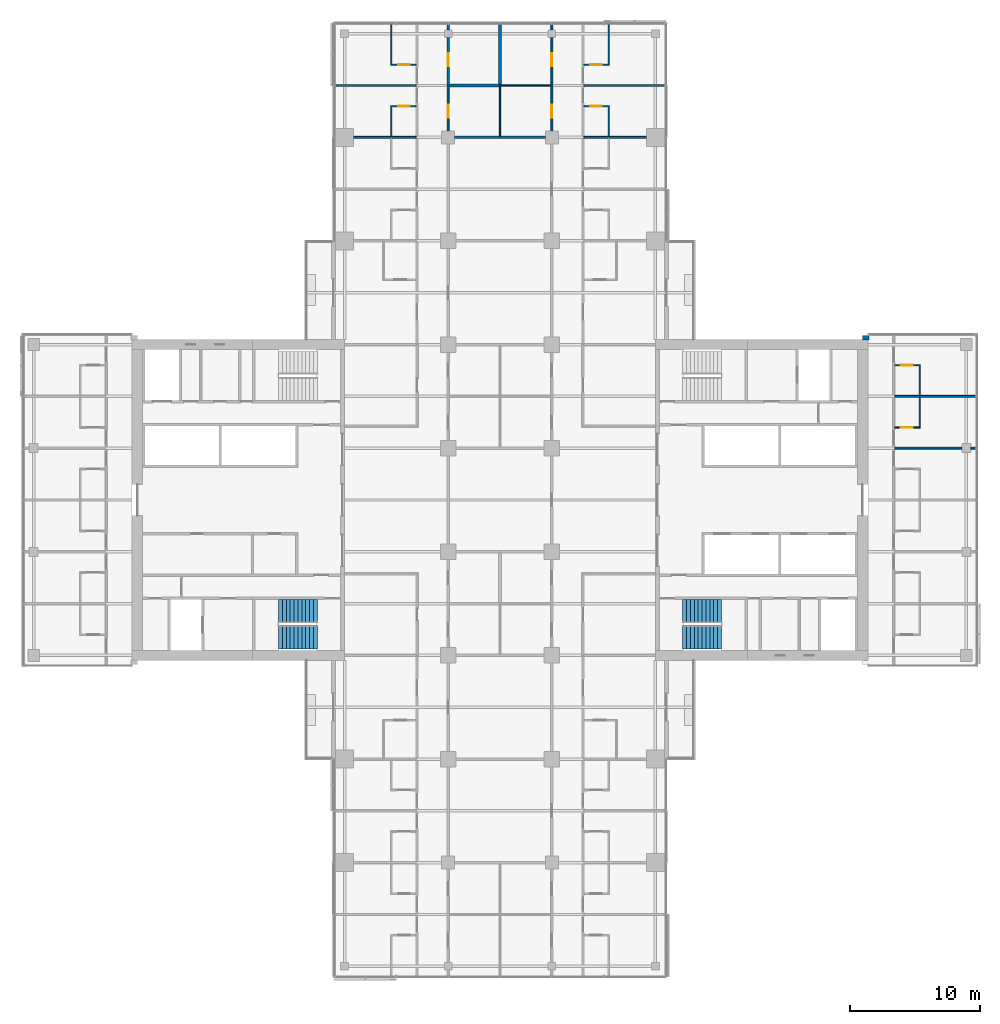
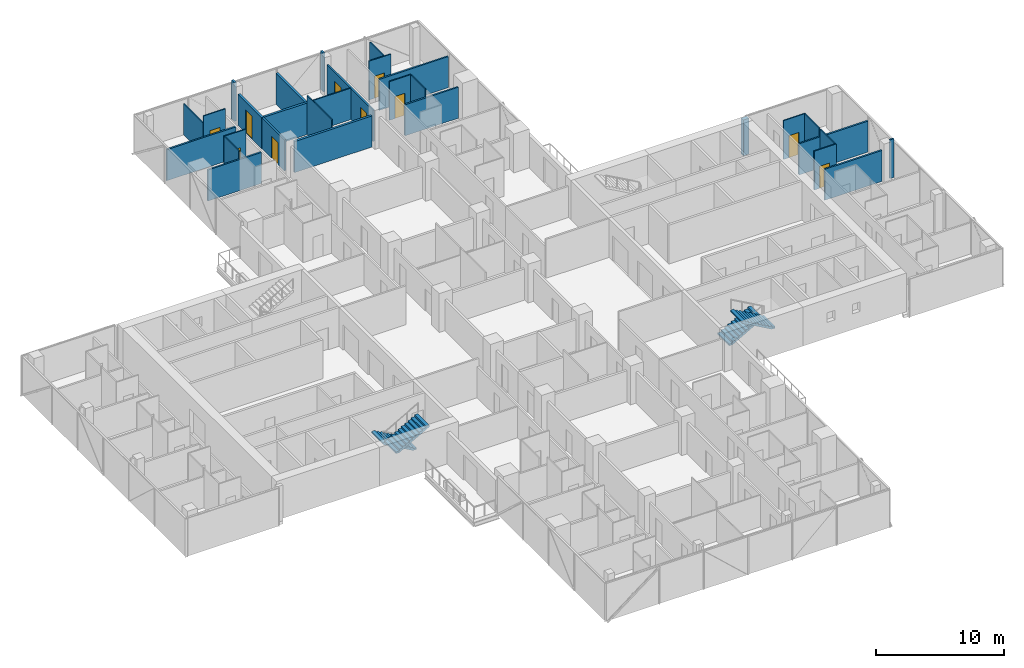
# One storey, part 23 of 29: 30 walls, 10 doors, 4 stair flights, 10 openings, 2 elements without a shape of their own.
"""IFC4 building model written with IfcOpenShell, lengths in metres."""

import ifcopenshell
import ifcopenshell.guid

model = None  # the IFC model being written
_history = None  # IfcOwnerHistory: only IFC2X3 demands one
_inside = {}  # id of a spatial element -> (the spatial element, [elements in it])
_under = {}  # id of a project, library or spatial element -> (it, [spatial elements below it])
_declared = {}  # id of a project -> (the project, [libraries it declares])
_typed = {}  # id of a type object -> (the type object, [elements of that type])
_made_of = {}  # id of a material, layer set ... -> (it, [elements and type objects made of it])


def new_model(schema):
    """Start an empty IFC model of exactly this schema.

    Asked for "IFC4X3", IfcOpenShell would pick the latest addendum, in which some entities
    have other attributes; the version numbers below select the first issue.
    IFC2X3 requires an IfcOwnerHistory on every rooted entity: one is made here for all.
    """
    global model, _history
    if schema == "IFC4X3":
        model = ifcopenshell.file(schema_version=(4, 3, 0, 0))
    else:
        model = ifcopenshell.file(schema=schema)
    _inside.clear()
    _under.clear()
    _declared.clear()
    _typed.clear()
    _made_of.clear()
    _history = None
    if model.schema == "IFC2X3":
        org = make("IfcOrganization", Name="unknown")
        user = make(
            "IfcPersonAndOrganization",
            ThePerson=make("IfcPerson", FamilyName="unknown"),
            TheOrganization=org,
        )
        app = make(
            "IfcApplication",
            ApplicationDeveloper=org,
            Version="unknown",
            ApplicationFullName="unknown",
            ApplicationIdentifier="unknown",
        )
        _history = make(
            "IfcOwnerHistory",
            OwningUser=user,
            OwningApplication=app,
            ChangeAction="ADDED",
            CreationDate=0,
        )
    return model


def make(cls, **values):
    """One entity of the class cls with the attributes given. An attribute that is None is left unset."""
    return model.create_entity(
        cls, **{name: value for name, value in values.items() if value is not None}
    )


def rooted(cls, **values):
    """An entity with a GlobalId (a new one), such as an element, a storey or a relation."""
    return make(cls, GlobalId=ifcopenshell.guid.new(), OwnerHistory=_history, **values)


def si_unit(unit_type, name, prefix=None):
    """IfcSIUnit, for example si_unit("LENGTHUNIT", "METRE", prefix="MILLI")."""
    return make("IfcSIUnit", UnitType=unit_type, Prefix=prefix, Name=name)


def assignment(units):
    """IfcUnitAssignment: the units of a project."""
    return None if units is None else make("IfcUnitAssignment", Units=units)


def point(xyz):
    """IfcCartesianPoint."""
    return None if xyz is None else make("IfcCartesianPoint", Coordinates=xyz)


def direction(xyz):
    """IfcDirection."""
    return None if xyz is None else make("IfcDirection", DirectionRatios=xyz)


def frame(location, z_axis=None, x_axis=None):
    """IfcAxis2Placement3D, a coordinate frame: its origin and axes. An axis left out is left unset."""
    return make(
        "IfcAxis2Placement3D",
        Location=point(location),
        Axis=direction(z_axis),
        RefDirection=direction(x_axis),
    )


def frame_2d(location, x_axis=None):
    """IfcAxis2Placement2D, a coordinate frame in the plane: its origin and x axis."""
    return make(
        "IfcAxis2Placement2D", Location=point(location), RefDirection=direction(x_axis)
    )


def origin():
    """The frame at (0, 0, 0) with its axes left unset."""
    return frame((0.0, 0.0, 0.0))


def place(relative_to, where):
    """IfcLocalPlacement: puts the frame where relative to a parent placement (None: the world)."""
    return make(
        "IfcLocalPlacement", PlacementRelTo=relative_to, RelativePlacement=where
    )


def context(
    kind, dimensions, precision=None, world=None, true_north=None, identifier=None
):
    """IfcGeometricRepresentationContext, for example the 3D "Model" context."""
    return make(
        "IfcGeometricRepresentationContext",
        ContextIdentifier=identifier,
        ContextType=kind,
        CoordinateSpaceDimension=dimensions,
        Precision=precision,
        WorldCoordinateSystem=world,
        TrueNorth=true_north,
    )


def subcontext(parent, identifier, kind, view, scale=None):
    """IfcGeometricRepresentationSubContext, for example "Body" below "Model"."""
    return make(
        "IfcGeometricRepresentationSubContext",
        ContextIdentifier=identifier,
        ContextType=kind,
        ParentContext=parent,
        TargetScale=scale,
        TargetView=view,
    )


def project(units=None, contexts=None):
    """IfcProject with its units and contexts."""
    return rooted(
        "IfcProject",
        Name="project",
        RepresentationContexts=contexts,
        UnitsInContext=assignment(units),
    )


def spatial(cls, under=None, at=None, **own):
    """A site, building, storey or space (cls), placed at a placement, below another one or the project."""
    s = rooted(cls, ObjectPlacement=at, **own)
    if under is not None:
        _under.setdefault(under.id(), (under, []))[1].append(s)
    return s


def polyline(points):
    """IfcPolyline through the points."""
    return make("IfcPolyline", Points=[point(p) for p in points])


def profile(cls, at=None, kind="AREA", **sizes):
    """A parametric profile (cls). Its sizes go by their IFC names, for example OverallWidth=200.0."""
    return make(cls, ProfileType=kind, Position=at, **sizes)


def rectangle(**sizes):
    """IfcRectangleProfileDef."""
    return profile("IfcRectangleProfileDef", **sizes)


def outline(outer, holes=None, kind="AREA"):
    """IfcArbitraryClosedProfileDef: a profile drawn as a closed curve; with holes, ...WithVoids."""
    if holes is None:
        return make("IfcArbitraryClosedProfileDef", ProfileType=kind, OuterCurve=outer)
    return make(
        "IfcArbitraryProfileDefWithVoids",
        ProfileType=kind,
        OuterCurve=outer,
        InnerCurves=holes,
    )


def extrude(swept, where, along, depth):
    """IfcExtrudedAreaSolid: the profile swept, set in the frame where, extruded along a direction by depth."""
    return make(
        "IfcExtrudedAreaSolid",
        SweptArea=swept,
        Position=where,
        ExtrudedDirection=direction(along),
        Depth=depth,
    )


def shape(context_of_items, identifier, shape_type, items):
    """IfcShapeRepresentation: the items that make up one representation, for example the "Body"."""
    return make(
        "IfcShapeRepresentation",
        ContextOfItems=context_of_items,
        RepresentationIdentifier=identifier,
        RepresentationType=shape_type,
        Items=items,
    )


def material(Name=None, Category=None):
    """IfcMaterial."""
    return make("IfcMaterial", Name=Name, Category=Category)


def layer(
    of_material, thickness, ventilated=None, Name=None, Category=None, Priority=None
):
    """IfcMaterialLayer: one layer of a wall or slab, of a material (None: an air gap)."""
    return make(
        "IfcMaterialLayer",
        Material=of_material,
        LayerThickness=thickness,
        IsVentilated=ventilated,
        Name=Name,
        Category=Category,
        Priority=Priority,
    )


def layer_set(layers, Name=None):
    """IfcMaterialLayerSet."""
    return make("IfcMaterialLayerSet", MaterialLayers=layers, LayerSetName=Name)


def made_of(thing, what):
    """Note that an element or type object is made of a material, layer set ...; save() writes the relation."""
    if what is not None:
        _made_of.setdefault(what.id(), (what, []))[1].append(thing)
    return thing


def type_object(cls, material=None, **own):
    """A type object (cls), such as IfcWallType, which elements share."""
    return made_of(rooted(cls, **own), material)


def element(
    cls,
    number,
    at=None,
    inside=None,
    cuts=None,
    type_object=None,
    material=None,
    context=None,
    identifier="Body",
    shape_type=None,
    held_by="IfcProductDefinitionShape",
    body=None,
    shapes=None,
    **own,
):
    """One element of the class cls, such as IfcWall. Its Tag is "e" and its number.

    at: its placement. inside: the storey or other place that contains it. cuts: it is an
    opening in that element (IfcRelVoidsElement). A single representation is given by context,
    identifier, shape_type and body (its items); several are given by shapes. held_by: the class
    of the entity that holds the representations. save() writes the other relations.
    """
    e = rooted(cls, Tag="e%d" % number, ObjectPlacement=at, **own)
    if body is not None:
        shapes = [shape(context, identifier, shape_type, body)]
    if shapes is not None:
        e.Representation = make(held_by, Representations=shapes)
    if inside is not None:
        _inside.setdefault(inside.id(), (inside, []))[1].append(e)
    if cuts is not None:
        rooted(
            "IfcRelVoidsElement", RelatingBuildingElement=cuts, RelatedOpeningElement=e
        )
    if type_object is not None:
        _typed.setdefault(type_object.id(), (type_object, []))[1].append(e)
    return made_of(e, material)


def fill(opening, filler):
    """IfcRelFillsElement: the door or window that sits in an opening."""
    return rooted(
        "IfcRelFillsElement",
        RelatingOpeningElement=opening,
        RelatedBuildingElement=filler,
    )


def aggregate(whole, parts):
    """IfcRelAggregates: a whole, such as a stair, and the parts it consists of."""
    return rooted("IfcRelAggregates", RelatingObject=whole, RelatedObjects=parts)


def save(model, path):
    """Write the relations noted so far, then the file.

    IfcRelAggregates (storeys below a building ...), IfcRelContainedInSpatialStructure (elements
    in a storey), IfcRelDefinesByType, IfcRelAssociatesMaterial and IfcRelDeclares: one each for
    every whole, place, type object, material and project.
    """
    for whole, parts in _under.values():
        aggregate(whole, parts)
    for where, things in _inside.values():
        rooted(
            "IfcRelContainedInSpatialStructure",
            RelatedElements=things,
            RelatingStructure=where,
        )
    for kind, things in _typed.values():
        rooted("IfcRelDefinesByType", RelatedObjects=things, RelatingType=kind)
    for what, things in _made_of.values():
        rooted("IfcRelAssociatesMaterial", RelatedObjects=things, RelatingMaterial=what)
    for by, libraries in _declared.values():
        rooted("IfcRelDeclares", RelatingContext=by, RelatedDefinitions=libraries)
    model.write(path)


model = new_model("IFC4")

# Units and contexts
model_context = context("Model", 3, precision=1e-05, world=origin(), true_north=direction((0.0, 1.0)))
body_context = subcontext(model_context, "Body", "Model", "MODEL_VIEW")
ifc_project = project(units=[si_unit("LENGTHUNIT", "METRE"), si_unit("AREAUNIT", "SQUARE_METRE"), si_unit("VOLUMEUNIT", "CUBIC_METRE"), si_unit("PLANEANGLEUNIT", "RADIAN"), si_unit("MASSUNIT", "GRAM", prefix="KILO")], contexts=[model_context])

# Site, building, storey
site_placement = place(None, origin())
site = spatial("IfcSite", under=ifc_project, at=site_placement, CompositionType="ELEMENT")
building_placement = place(site_placement, origin())
building = spatial("IfcBuilding", under=site, at=building_placement, Name="Crosswind Convention Tower", CompositionType="ELEMENT")
storey_placement = place(building_placement, frame((0.0, 0.0, 57.199951171875)))
storey = spatial("IfcBuildingStorey", under=building, at=storey_placement, Name="L08", CompositionType="ELEMENT", Elevation=57.199951171875)

# Wall
ifc_material_1 = material(Name="Concrete blockwork", Category="masonry")
ifc_layer_1 = layer(ifc_material_1, 0.199951171875)
ifc_layer_set_1 = layer_set([ifc_layer_1], Name="COMPARTMENT WALL 200")
wall_type_1 = type_object("IfcWallType", Name="COMPARTMENT WALL 200", PredefinedType="SOLIDWALL", material=ifc_layer_set_1)
wall_1_placement = place(storey_placement, frame((121.074951171875, 132.0, 0.0), z_axis=(0.0, 0.0, 1.0), x_axis=(1.0, 0.0, 0.0)))
element("IfcWall", 1, at=wall_1_placement, inside=storey, type_object=wall_type_1, Name="Compartment Wall 81", PredefinedType="SOLIDWALL", context=body_context, shape_type="SweptSolid", body=[
    extrude(rectangle(XDim=3.925048828125, YDim=0.199951171875, at=frame_2d((1.96240234375, 0.0))), origin(), (0.0, 0.0, 1.0), 3.013671875),
])

# Wall, opening, door
wall_2_placement = place(storey_placement, frame((121.0, 132.0, 0.0), z_axis=(0.0, 0.0, 1.0), x_axis=(0.0, 1.0, 0.0)))
wall_2 = element("IfcWall", 2, at=wall_2_placement, inside=storey, type_object=wall_type_1, Name="Compartment Wall 118", PredefinedType="SOLIDWALL", context=body_context, shape_type="SweptSolid", body=[
    extrude(rectangle(XDim=3.699951171875, YDim=0.199951171875, at=frame_2d((1.85009765625, 0.0))), origin(), (0.0, 0.0, 1.0), 2.9599609375),
])
opening_1_placement = place(wall_2_placement, frame((1.5, 0.0, 0.0)))
opening_1 = element("IfcOpeningElement", 3, at=opening_1_placement, cuts=wall_2, Name="Opening 08.087", PredefinedType="OPENING", context=body_context, shape_type="SweptSolid", body=[
    extrude(rectangle(XDim=1.0, YDim=2.199951171875, at=frame_2d((0.5, 1.10009765625))), frame((0.0, 0.10986328125, 0.0), z_axis=(0.0, -1.0, 0.0), x_axis=(1.0, 0.0, 0.0)), (0.0, 0.0, 1.0), 0.219970703125),
])
ifc_material_2 = material(Name="Steel fire door", Category="steel")
door_type_1 = type_object("IfcDoorType", Name="PLANT ROOM DOOR 1000X2200", OperationType="NOTDEFINED", PredefinedType="DOOR", material=ifc_material_2)
door_1_placement = place(opening_1_placement, frame((1.0, 0.0, 0.0), z_axis=(0.0, 0.0, 1.0), x_axis=(-1.0, 0.0, 0.0)))
door_1 = element("IfcDoor", 4, at=door_1_placement, inside=storey, type_object=door_type_1, Name="Door 08.087", ObjectType="D6", OperationType="SINGLE_SWING_LEFT", OverallHeight=2.199951171875, OverallWidth=1.0, PredefinedType="DOOR", context=body_context, shape_type="SweptSolid", body=[
    extrude(rectangle(XDim=1.0, YDim=2.199951171875, at=frame_2d((0.5, 1.10009765625))), frame((0.0, 0.02490234375, 0.0), z_axis=(0.0, -1.0, 0.0), x_axis=(1.0, 0.0, 0.0)), (0.0, 0.0, 1.0), 0.050048828125),
])
fill(opening_1, door_1)

# Walls
wall_3_placement = place(storey_placement, frame((121.0, 136.300048828125, 0.0), z_axis=(0.0, 0.0, 1.0), x_axis=(0.0, 1.0, 0.0)))
element("IfcWall", 5, at=wall_3_placement, inside=storey, type_object=wall_type_1, Name="Compartment Wall 119", PredefinedType="SOLIDWALL", context=body_context, shape_type="SweptSolid", body=[
    extrude(rectangle(XDim=0.39990234375, YDim=0.199951171875, at=frame_2d((0.199951171875, 0.0))), origin(), (0.0, 0.0, 1.0), 3.699951171875),
])
wall_4_placement = place(storey_placement, frame((125.0, 132.050048828125, 0.0), z_axis=(0.0, 0.0, 1.0), x_axis=(0.0, 1.0, 0.0)))
element("IfcWall", 6, at=wall_4_placement, inside=storey, type_object=wall_type_1, Name="Compartment Wall 127", PredefinedType="SOLIDWALL", context=body_context, shape_type="SweptSolid", body=[
    extrude(rectangle(XDim=4.64990234375, YDim=0.199951171875, at=frame_2d((2.324951171875, 0.0))), origin(), (0.0, 0.0, 1.0), 2.962890625),
])

# Wall, opening, door
ifc_material_3 = material(Name="Plasterboard partition", Category="gypsum")
ifc_layer_2 = layer(ifc_material_3, 0.14990234375)
ifc_layer_set_2 = layer_set([ifc_layer_2], Name="CORRIDOR WALL 150")
wall_type_2 = type_object("IfcWallType", Name="CORRIDOR WALL 150", PredefinedType="PARTITIONING", material=ifc_layer_set_2)
wall_5_placement = place(storey_placement, frame((121.0, 128.5, 0.0), z_axis=(0.0, 0.0, 1.0), x_axis=(0.0, 1.0, 0.0)))
wall_5 = element("IfcWall", 7, at=wall_5_placement, inside=storey, type_object=wall_type_2, Name="Corridor Wall 117", PredefinedType="PARTITIONING", context=body_context, shape_type="SweptSolid", body=[
    extrude(rectangle(XDim=3.5, YDim=0.14990234375, at=frame_2d((1.75, 0.0))), origin(), (0.0, 0.0, 1.0), 2.9599609375),
])
opening_2_placement = place(wall_5_placement, frame((1.0, 0.0, 0.0)))
opening_2 = element("IfcOpeningElement", 8, at=opening_2_placement, cuts=wall_5, Name="Opening 08.086", PredefinedType="OPENING", context=body_context, shape_type="SweptSolid", body=[
    extrude(rectangle(XDim=1.0, YDim=2.10009765625, at=frame_2d((0.5, 1.050048828125))), frame((0.0, 0.0849609375, 0.0), z_axis=(0.0, -1.0, 0.0), x_axis=(1.0, 0.0, 0.0)), (0.0, 0.0, 1.0), 0.169921875),
])
ifc_material_4 = material(Name="Timber fire door", Category="wood")
door_type_2 = type_object("IfcDoorType", Name="SERVICE ROOM DOOR 1000X2100", OperationType="NOTDEFINED", PredefinedType="DOOR", material=ifc_material_4)
door_2_placement = place(opening_2_placement, frame((1.0, 0.0, 0.0), z_axis=(0.0, 0.0, 1.0), x_axis=(-1.0, 0.0, 0.0)))
door_2 = element("IfcDoor", 9, at=door_2_placement, inside=storey, type_object=door_type_2, Name="Door 08.086", ObjectType="D3", OperationType="SINGLE_SWING_RIGHT", OverallHeight=2.10009765625, OverallWidth=1.0, PredefinedType="DOOR", context=body_context, shape_type="SweptSolid", body=[
    extrude(rectangle(XDim=1.0, YDim=2.10009765625, at=frame_2d((0.5, 1.050048828125))), frame((0.0, 0.02490234375, 0.0), z_axis=(0.0, -1.0, 0.0), x_axis=(1.0, 0.0, 0.0)), (0.0, 0.0, 1.0), 0.050048828125),
])
fill(opening_2, door_2)

# Wall, openings, doors
wall_6_placement = place(storey_placement, frame((129.0, 128.5, 0.0), z_axis=(0.0, 0.0, 1.0), x_axis=(0.0, 1.0, 0.0)))
wall_6 = element("IfcWall", 10, at=wall_6_placement, inside=storey, type_object=wall_type_2, Name="Corridor Wall 137", PredefinedType="PARTITIONING", context=body_context, shape_type="SweptSolid", body=[
    extrude(rectangle(XDim=7.199951171875, YDim=0.14990234375, at=frame_2d((3.60009765625, 0.0))), origin(), (0.0, 0.0, 1.0), 2.9599609375),
])
opening_3_placement = place(wall_6_placement, frame((1.0, 0.0, 0.0)))
opening_3 = element("IfcOpeningElement", 11, at=opening_3_placement, cuts=wall_6, Name="Opening 08.088", PredefinedType="OPENING", context=body_context, shape_type="SweptSolid", body=[
    extrude(rectangle(XDim=1.0, YDim=2.10009765625, at=frame_2d((0.5, 1.050048828125))), frame((0.0, 0.0849609375, 0.0), z_axis=(0.0, -1.0, 0.0), x_axis=(1.0, 0.0, 0.0)), (0.0, 0.0, 1.0), 0.169921875),
])
opening_4_placement = place(wall_6_placement, frame((5.0, 0.0, 0.0)))
opening_4 = element("IfcOpeningElement", 12, at=opening_4_placement, cuts=wall_6, Name="Opening 08.089", PredefinedType="OPENING", context=body_context, shape_type="SweptSolid", body=[
    extrude(rectangle(XDim=1.0, YDim=2.10009765625, at=frame_2d((0.5, 1.050048828125))), frame((0.0, 0.0849609375, 0.0), z_axis=(0.0, -1.0, 0.0), x_axis=(1.0, 0.0, 0.0)), (0.0, 0.0, 1.0), 0.169921875),
])
door_3_placement = place(opening_3_placement, origin())
door_3 = element("IfcDoor", 13, at=door_3_placement, inside=storey, type_object=door_type_2, Name="Door 08.088", ObjectType="D3", OperationType="SINGLE_SWING_LEFT", OverallHeight=2.10009765625, OverallWidth=1.0, PredefinedType="DOOR", context=body_context, shape_type="SweptSolid", body=[
    extrude(rectangle(XDim=1.0, YDim=2.10009765625, at=frame_2d((0.5, 1.050048828125))), frame((0.0, 0.02490234375, 0.0), z_axis=(0.0, -1.0, 0.0), x_axis=(1.0, 0.0, 0.0)), (0.0, 0.0, 1.0), 0.050048828125),
])
fill(opening_3, door_3)
door_4_placement = place(opening_4_placement, origin())
door_4 = element("IfcDoor", 14, at=door_4_placement, inside=storey, type_object=door_type_2, Name="Door 08.089", ObjectType="D3", OperationType="SINGLE_SWING_RIGHT", OverallHeight=2.10009765625, OverallWidth=1.0, PredefinedType="DOOR", context=body_context, shape_type="SweptSolid", body=[
    extrude(rectangle(XDim=1.0, YDim=2.10009765625, at=frame_2d((0.5, 1.050048828125))), frame((0.0, 0.02490234375, 0.0), z_axis=(0.0, -1.0, 0.0), x_axis=(1.0, 0.0, 0.0)), (0.0, 0.0, 1.0), 0.050048828125),
])
fill(opening_4, door_4)

# Walls
wall_7_placement = place(storey_placement, frame((129.0, 136.300048828125, 0.0), z_axis=(0.0, 0.0, 1.0), x_axis=(0.0, 1.0, 0.0)))
element("IfcWall", 15, at=wall_7_placement, inside=storey, type_object=wall_type_2, Name="Corridor Wall 138", PredefinedType="PARTITIONING", context=body_context, shape_type="SweptSolid", body=[
    extrude(rectangle(XDim=0.39990234375, YDim=0.14990234375, at=frame_2d((0.199951171875, 0.0))), origin(), (0.0, 0.0, 1.0), 3.699951171875),
])
ifc_material_5 = material(Name="Acoustic plasterboard partition", Category="gypsum")
ifc_layer_3 = layer(ifc_material_5, 0.14990234375)
ifc_layer_set_3 = layer_set([ifc_layer_3], Name="GUEST ROOM WALL 150")
wall_type_3 = type_object("IfcWallType", Name="GUEST ROOM WALL 150", PredefinedType="PARTITIONING", material=ifc_layer_set_3)
wall_8_placement = place(storey_placement, frame((155.47509765625, 104.0, 0.0), z_axis=(0.0, 0.0, 1.0), x_axis=(1.0, 0.0, 0.0)))
element("IfcWall", 16, at=wall_8_placement, inside=storey, type_object=wall_type_3, Name="Guest Room Wall 50", PredefinedType="PARTITIONING", context=body_context, shape_type="SweptSolid", body=[
    extrude(rectangle(XDim=5.1748046875, YDim=0.14990234375, at=frame_2d((2.58740234375, 0.0))), origin(), (0.0, 0.0, 1.0), 2.95654296875),
])
wall_9_placement = place(storey_placement, frame((161.35009765625, 104.0, 0.0), z_axis=(0.0, 0.0, 1.0), x_axis=(1.0, 0.0, 0.0)))
element("IfcWall", 17, at=wall_9_placement, inside=storey, type_object=wall_type_3, Name="Guest Room Wall 51", PredefinedType="PARTITIONING", context=body_context, shape_type="SweptSolid", body=[
    extrude(rectangle(XDim=0.349853515625, YDim=0.14990234375, at=frame_2d((0.1748046875, 0.0))), origin(), (0.0, 0.0, 1.0), 3.699951171875),
])
wall_10_placement = place(storey_placement, frame((155.47509765625, 108.0, 0.0), z_axis=(0.0, 0.0, 1.0), x_axis=(1.0, 0.0, 0.0)))
element("IfcWall", 18, at=wall_10_placement, inside=storey, type_object=wall_type_3, Name="Guest Room Wall 58", PredefinedType="PARTITIONING", context=body_context, shape_type="SweptSolid", body=[
    extrude(rectangle(XDim=6.224853515625, YDim=0.14990234375, at=frame_2d((3.1123046875, 0.0))), origin(), (0.0, 0.0, 1.0), 2.962890625),
])
for number, where, z_axis, x_axis, name in (
    (19, (113.699951171875, 128.0, 0.0), (0.0, 0.0, 1.0), (1.0, 0.0, 0.0), "Guest Room Wall 75"),
    (20, (131.47509765625, 128.0, 0.0), (0.0, 0.0, 1.0), (1.0, 0.0, 0.0), "Guest Room Wall 77"),
):
    element("IfcWall", number, at=place(storey_placement, frame(where, z_axis=z_axis, x_axis=x_axis)), inside=storey, type_object=wall_type_3, Name=name, PredefinedType="PARTITIONING", context=body_context, shape_type="SweptSolid", body=[
        extrude(rectangle(XDim=4.824951171875, YDim=0.14990234375, at=frame_2d((2.41259765625, 0.0))), origin(), (0.0, 0.0, 1.0), 2.9599609375),
    ])
for number, where, z_axis, x_axis, name in (
    (21, (112.300048828125, 132.0, 0.0), (0.0, 0.0, 1.0), (1.0, 0.0, 0.0), "Guest Room Wall 80"),
    (22, (131.47509765625, 132.0, 0.0), (0.0, 0.0, 1.0), (1.0, 0.0, 0.0), "Guest Room Wall 83"),
):
    element("IfcWall", number, at=place(storey_placement, frame(where, z_axis=z_axis, x_axis=x_axis)), inside=storey, type_object=wall_type_3, Name=name, PredefinedType="PARTITIONING", context=body_context, shape_type="SweptSolid", body=[
        extrude(rectangle(XDim=6.224853515625, YDim=0.14990234375, at=frame_2d((3.1123046875, 0.0))), origin(), (0.0, 0.0, 1.0), 2.962890625),
    ])
ifc_material_6 = material(Name="Double plasterboard partition", Category="gypsum")
ifc_layer_4 = layer(ifc_material_6, 0.199951171875)
ifc_layer_set_4 = layer_set([ifc_layer_4], Name="HALL WALL 200")
wall_type_4 = type_object("IfcWallType", Name="HALL WALL 200", PredefinedType="PARTITIONING", material=ifc_layer_set_4)
wall_11_placement = place(storey_placement, frame((121.5, 128.0, 0.0), z_axis=(0.0, 0.0, 1.0), x_axis=(1.0, 0.0, 0.0)))
element("IfcWall", 23, at=wall_11_placement, inside=storey, type_object=wall_type_4, Name="Hall Wall 76", PredefinedType="PARTITIONING", context=body_context, shape_type="SweptSolid", body=[
    extrude(rectangle(XDim=7.0, YDim=0.199951171875, at=frame_2d((3.5, 0.0))), origin(), (0.0, 0.0, 1.0), 2.9599609375),
])
ifc_layer_5 = layer(ifc_material_3, 0.10009765625)
ifc_layer_set_5 = layer_set([ifc_layer_5], Name="PARTITION 100")
wall_type_5 = type_object("IfcWallType", Name="PARTITION 100", PredefinedType="PARTITIONING", material=ifc_layer_set_5)
wall_12_placement = place(storey_placement, frame((125.0, 132.0, 0.0), z_axis=(0.0, 0.0, 1.0), x_axis=(1.0, 0.0, 0.0)))
element("IfcWall", 24, at=wall_12_placement, inside=storey, type_object=wall_type_5, Name="Partition 82", PredefinedType="PARTITIONING", context=body_context, shape_type="SweptSolid", body=[
    extrude(rectangle(XDim=3.925048828125, YDim=0.10009765625, at=frame_2d((1.96240234375, 0.0))), origin(), (0.0, 0.0, 1.0), 3.013671875),
])
wall_13_placement = place(storey_placement, frame((125.0, 128.10009765625, 0.0), z_axis=(0.0, 0.0, 1.0), x_axis=(0.0, 1.0, 0.0)))
element("IfcWall", 25, at=wall_13_placement, inside=storey, type_object=wall_type_5, Name="Partition 126", PredefinedType="PARTITIONING", context=body_context, shape_type="SweptSolid", body=[
    extrude(rectangle(XDim=3.849853515625, YDim=0.10009765625, at=frame_2d((1.9248046875, 0.0))), origin(), (0.0, 0.0, 1.0), 3.699951171875),
])
ifc_material_7 = material(Name="Terracotta rainscreen", Category="ceramic")
ifc_layer_6 = layer(ifc_material_7, 0.02001953125)
ifc_material_8 = material(Name="Mineral wool insulation", Category="insulation")
ifc_layer_7 = layer(ifc_material_8, 0.10009765625)
ifc_layer_8 = layer(ifc_material_1, 0.236083984375)
ifc_layer_set_6 = layer_set([ifc_layer_6, ifc_layer_7, ifc_layer_8], Name="TERRACOTTA CORNER INFILL WALL 356")
wall_type_6 = type_object("IfcWallType", Name="TERRACOTTA CORNER INFILL WALL 356", PredefinedType="SOLIDWALL", material=ifc_layer_set_6)
wall_14_placement = place(storey_placement, frame((153.0, 112.52197265625, 0.0), z_axis=(0.0, 0.0, 1.0), x_axis=(1.0, 0.0, 0.0)))
element("IfcWall", 26, at=wall_14_placement, inside=storey, type_object=wall_type_6, Name="Core corner infill wall L08 1", PredefinedType="SOLIDWALL", context=body_context, shape_type="SweptSolid", body=[
    extrude(rectangle(XDim=0.5048828125, YDim=0.35595703125, at=frame_2d((0.25244140625, 0.0))), origin(), (0.0, 0.0, 1.0), 3.420166015625),
])

# Wall, opening, door
ifc_material_9 = material(Name="Water-resistant plasterboard partition", Category="gypsum")
ifc_layer_9 = layer(ifc_material_9, 0.10009765625)
ifc_layer_set_7 = layer_set([ifc_layer_9], Name="WET ROOM PARTITION 100")
wall_type_7 = type_object("IfcWallType", Name="WET ROOM PARTITION 100", PredefinedType="PLUMBINGWALL", material=ifc_layer_set_7)
wall_15_placement = place(storey_placement, frame((155.47509765625, 105.60009765625, 0.0), z_axis=(0.0, 0.0, 1.0), x_axis=(1.0, 0.0, 0.0)))
wall_15 = element("IfcWall", 27, at=wall_15_placement, inside=storey, type_object=wall_type_7, Name="Wet Room Partition 53", PredefinedType="PLUMBINGWALL", context=body_context, shape_type="SweptSolid", body=[
    extrude(rectangle(XDim=1.974853515625, YDim=0.10009765625, at=frame_2d((0.9873046875, 0.0))), origin(), (0.0, 0.0, 1.0), 3.699951171875),
])
opening_5_placement = place(wall_15_placement, frame((0.47509765625, 0.0, 0.0)))
opening_5 = element("IfcOpeningElement", 28, at=opening_5_placement, cuts=wall_15, Name="Opening 08.054", PredefinedType="OPENING", context=body_context, shape_type="SweptSolid", body=[
    extrude(rectangle(XDim=0.89990234375, YDim=2.10009765625, at=frame_2d((0.449951171875, 1.050048828125))), frame((0.0, 0.06005859375, 0.0), z_axis=(0.0, -1.0, 0.0), x_axis=(1.0, 0.0, 0.0)), (0.0, 0.0, 1.0), 0.1201171875),
])
ifc_material_10 = material(Name="Timber door", Category="wood")
door_type_3 = type_object("IfcDoorType", Name="EN-SUITE DOOR 900X2100", OperationType="NOTDEFINED", PredefinedType="DOOR", material=ifc_material_10)
door_5_placement = place(opening_5_placement, origin())
door_5 = element("IfcDoor", 29, at=door_5_placement, inside=storey, type_object=door_type_3, Name="Door 08.054", ObjectType="D2", OperationType="SINGLE_SWING_RIGHT", OverallHeight=2.10009765625, OverallWidth=0.89990234375, PredefinedType="DOOR", context=body_context, shape_type="SweptSolid", body=[
    extrude(rectangle(XDim=0.89990234375, YDim=2.10009765625, at=frame_2d((0.449951171875, 1.050048828125))), frame((0.0, 0.02490234375, 0.0), z_axis=(0.0, -1.0, 0.0), x_axis=(1.0, 0.0, 0.0)), (0.0, 0.0, 1.0), 0.050048828125),
])
fill(opening_5, door_5)

wall_16_placement = place(storey_placement, frame((155.47509765625, 110.39990234375, 0.0), z_axis=(0.0, 0.0, 1.0), x_axis=(1.0, 0.0, 0.0)))
wall_16 = element("IfcWall", 30, at=wall_16_placement, inside=storey, type_object=wall_type_7, Name="Wet Room Partition 60", PredefinedType="PLUMBINGWALL", context=body_context, shape_type="SweptSolid", body=[
    extrude(rectangle(XDim=1.974853515625, YDim=0.10009765625, at=frame_2d((0.9873046875, 0.0))), origin(), (0.0, 0.0, 1.0), 3.699951171875),
])
opening_6_placement = place(wall_16_placement, frame((0.47509765625, 0.0, 0.0)))
opening_6 = element("IfcOpeningElement", 31, at=opening_6_placement, cuts=wall_16, Name="Opening 08.056", PredefinedType="OPENING", context=body_context, shape_type="SweptSolid", body=[
    extrude(rectangle(XDim=0.89990234375, YDim=2.10009765625, at=frame_2d((0.449951171875, 1.050048828125))), frame((0.0, 0.06005859375, 0.0), z_axis=(0.0, -1.0, 0.0), x_axis=(1.0, 0.0, 0.0)), (0.0, 0.0, 1.0), 0.1201171875),
])
door_6_placement = place(opening_6_placement, frame((0.89990234375, 0.0, 0.0), z_axis=(0.0, 0.0, 1.0), x_axis=(-1.0, 0.0, 0.0)))
door_6 = element("IfcDoor", 32, at=door_6_placement, inside=storey, type_object=door_type_3, Name="Door 08.056", ObjectType="D2", OperationType="SINGLE_SWING_LEFT", OverallHeight=2.10009765625, OverallWidth=0.89990234375, PredefinedType="DOOR", context=body_context, shape_type="SweptSolid", body=[
    extrude(rectangle(XDim=0.89990234375, YDim=2.10009765625, at=frame_2d((0.449951171875, 1.050048828125))), frame((0.0, 0.02490234375, 0.0), z_axis=(0.0, -1.0, 0.0), x_axis=(1.0, 0.0, 0.0)), (0.0, 0.0, 1.0), 0.050048828125),
])
fill(opening_6, door_6)

wall_17_placement = place(storey_placement, frame((116.550048828125, 130.39990234375, 0.0), z_axis=(0.0, 0.0, 1.0), x_axis=(1.0, 0.0, 0.0)))
wall_17 = element("IfcWall", 33, at=wall_17_placement, inside=storey, type_object=wall_type_7, Name="Wet Room Partition 78", PredefinedType="PLUMBINGWALL", context=body_context, shape_type="SweptSolid", body=[
    extrude(rectangle(XDim=1.974853515625, YDim=0.10009765625, at=frame_2d((0.9873046875, 0.0))), origin(), (0.0, 0.0, 1.0), 3.699951171875),
])
opening_7_placement = place(wall_17_placement, frame((0.60009765625, 0.0, 0.0)))
opening_7 = element("IfcOpeningElement", 34, at=opening_7_placement, cuts=wall_17, Name="Opening 08.022", PredefinedType="OPENING", context=body_context, shape_type="SweptSolid", body=[
    extrude(rectangle(XDim=0.89990234375, YDim=2.10009765625, at=frame_2d((0.449951171875, 1.050048828125))), frame((0.0, 0.06005859375, 0.0), z_axis=(0.0, -1.0, 0.0), x_axis=(1.0, 0.0, 0.0)), (0.0, 0.0, 1.0), 0.1201171875),
])
door_7_placement = place(opening_7_placement, frame((0.89990234375, 0.0, 0.0), z_axis=(0.0, 0.0, 1.0), x_axis=(-1.0, 0.0, 0.0)))
door_7 = element("IfcDoor", 35, at=door_7_placement, inside=storey, type_object=door_type_3, Name="Door 08.022", ObjectType="D2", OperationType="SINGLE_SWING_LEFT", OverallHeight=2.10009765625, OverallWidth=0.89990234375, PredefinedType="DOOR", context=body_context, shape_type="SweptSolid", body=[
    extrude(rectangle(XDim=0.89990234375, YDim=2.10009765625, at=frame_2d((0.449951171875, 1.050048828125))), frame((0.0, 0.02490234375, 0.0), z_axis=(0.0, -1.0, 0.0), x_axis=(1.0, 0.0, 0.0)), (0.0, 0.0, 1.0), 0.050048828125),
])
fill(opening_7, door_7)

wall_18_placement = place(storey_placement, frame((131.47509765625, 130.39990234375, 0.0), z_axis=(0.0, 0.0, 1.0), x_axis=(1.0, 0.0, 0.0)))
wall_18 = element("IfcWall", 36, at=wall_18_placement, inside=storey, type_object=wall_type_7, Name="Wet Room Partition 79", PredefinedType="PLUMBINGWALL", context=body_context, shape_type="SweptSolid", body=[
    extrude(rectangle(XDim=1.974853515625, YDim=0.10009765625, at=frame_2d((0.9873046875, 0.0))), origin(), (0.0, 0.0, 1.0), 3.699951171875),
])
opening_8_placement = place(wall_18_placement, frame((0.47509765625, 0.0, 0.0)))
opening_8 = element("IfcOpeningElement", 37, at=opening_8_placement, cuts=wall_18, Name="Opening 08.012", PredefinedType="OPENING", context=body_context, shape_type="SweptSolid", body=[
    extrude(rectangle(XDim=0.89990234375, YDim=2.10009765625, at=frame_2d((0.449951171875, 1.050048828125))), frame((0.0, 0.06005859375, 0.0), z_axis=(0.0, -1.0, 0.0), x_axis=(1.0, 0.0, 0.0)), (0.0, 0.0, 1.0), 0.1201171875),
])
door_8_placement = place(opening_8_placement, frame((0.89990234375, 0.0, 0.0), z_axis=(0.0, 0.0, 1.0), x_axis=(-1.0, 0.0, 0.0)))
door_8 = element("IfcDoor", 38, at=door_8_placement, inside=storey, type_object=door_type_3, Name="Door 08.012", ObjectType="D2", OperationType="SINGLE_SWING_LEFT", OverallHeight=2.10009765625, OverallWidth=0.89990234375, PredefinedType="DOOR", context=body_context, shape_type="SweptSolid", body=[
    extrude(rectangle(XDim=0.89990234375, YDim=2.10009765625, at=frame_2d((0.449951171875, 1.050048828125))), frame((0.0, 0.02490234375, 0.0), z_axis=(0.0, -1.0, 0.0), x_axis=(1.0, 0.0, 0.0)), (0.0, 0.0, 1.0), 0.050048828125),
])
fill(opening_8, door_8)

wall_19_placement = place(storey_placement, frame((116.550048828125, 133.60009765625, 0.0), z_axis=(0.0, 0.0, 1.0), x_axis=(1.0, 0.0, 0.0)))
wall_19 = element("IfcWall", 39, at=wall_19_placement, inside=storey, type_object=wall_type_7, Name="Wet Room Partition 84", PredefinedType="PLUMBINGWALL", context=body_context, shape_type="SweptSolid", body=[
    extrude(rectangle(XDim=1.974853515625, YDim=0.10009765625, at=frame_2d((0.9873046875, 0.0))), origin(), (0.0, 0.0, 1.0), 3.699951171875),
])
opening_9_placement = place(wall_19_placement, frame((0.60009765625, 0.0, 0.0)))
opening_9 = element("IfcOpeningElement", 40, at=opening_9_placement, cuts=wall_19, Name="Opening 08.024", PredefinedType="OPENING", context=body_context, shape_type="SweptSolid", body=[
    extrude(rectangle(XDim=0.89990234375, YDim=2.10009765625, at=frame_2d((0.449951171875, 1.050048828125))), frame((0.0, 0.06005859375, 0.0), z_axis=(0.0, -1.0, 0.0), x_axis=(1.0, 0.0, 0.0)), (0.0, 0.0, 1.0), 0.1201171875),
])
door_9_placement = place(opening_9_placement, origin())
door_9 = element("IfcDoor", 41, at=door_9_placement, inside=storey, type_object=door_type_3, Name="Door 08.024", ObjectType="D2", OperationType="SINGLE_SWING_RIGHT", OverallHeight=2.10009765625, OverallWidth=0.89990234375, PredefinedType="DOOR", context=body_context, shape_type="SweptSolid", body=[
    extrude(rectangle(XDim=0.89990234375, YDim=2.10009765625, at=frame_2d((0.449951171875, 1.050048828125))), frame((0.0, 0.02490234375, 0.0), z_axis=(0.0, -1.0, 0.0), x_axis=(1.0, 0.0, 0.0)), (0.0, 0.0, 1.0), 0.050048828125),
])
fill(opening_9, door_9)

wall_20_placement = place(storey_placement, frame((131.47509765625, 133.60009765625, 0.0), z_axis=(0.0, 0.0, 1.0), x_axis=(1.0, 0.0, 0.0)))
wall_20 = element("IfcWall", 42, at=wall_20_placement, inside=storey, type_object=wall_type_7, Name="Wet Room Partition 85", PredefinedType="PLUMBINGWALL", context=body_context, shape_type="SweptSolid", body=[
    extrude(rectangle(XDim=1.974853515625, YDim=0.10009765625, at=frame_2d((0.9873046875, 0.0))), origin(), (0.0, 0.0, 1.0), 3.699951171875),
])
opening_10_placement = place(wall_20_placement, frame((0.47509765625, 0.0, 0.0)))
opening_10 = element("IfcOpeningElement", 43, at=opening_10_placement, cuts=wall_20, Name="Opening 08.014", PredefinedType="OPENING", context=body_context, shape_type="SweptSolid", body=[
    extrude(rectangle(XDim=0.89990234375, YDim=2.10009765625, at=frame_2d((0.449951171875, 1.050048828125))), frame((0.0, 0.06005859375, 0.0), z_axis=(0.0, -1.0, 0.0), x_axis=(1.0, 0.0, 0.0)), (0.0, 0.0, 1.0), 0.1201171875),
])
door_10_placement = place(opening_10_placement, origin())
door_10 = element("IfcDoor", 44, at=door_10_placement, inside=storey, type_object=door_type_3, Name="Door 08.014", ObjectType="D2", OperationType="SINGLE_SWING_RIGHT", OverallHeight=2.10009765625, OverallWidth=0.89990234375, PredefinedType="DOOR", context=body_context, shape_type="SweptSolid", body=[
    extrude(rectangle(XDim=0.89990234375, YDim=2.10009765625, at=frame_2d((0.449951171875, 1.050048828125))), frame((0.0, 0.02490234375, 0.0), z_axis=(0.0, -1.0, 0.0), x_axis=(1.0, 0.0, 0.0)), (0.0, 0.0, 1.0), 0.050048828125),
])
fill(opening_10, door_10)

# Walls
wall_21_placement = place(storey_placement, frame((116.60009765625, 128.074951171875, 0.0), z_axis=(0.0, 0.0, 1.0), x_axis=(0.0, 1.0, 0.0)))
element("IfcWall", 45, at=wall_21_placement, inside=storey, type_object=wall_type_7, Name="Wet Room Partition 101", PredefinedType="PLUMBINGWALL", context=body_context, shape_type="SweptSolid", body=[
    extrude(rectangle(XDim=2.275146484375, YDim=0.10009765625, at=frame_2d((1.1376953125, 0.0))), origin(), (0.0, 0.0, 1.0), 3.699951171875),
])
wall_22_placement = place(storey_placement, frame((116.60009765625, 133.64990234375, 0.0), z_axis=(0.0, 0.0, 1.0), x_axis=(0.0, 1.0, 0.0)))
element("IfcWall", 46, at=wall_22_placement, inside=storey, type_object=wall_type_7, Name="Wet Room Partition 102", PredefinedType="PLUMBINGWALL", context=body_context, shape_type="SweptSolid", body=[
    extrude(rectangle(XDim=3.050048828125, YDim=0.10009765625, at=frame_2d((1.52490234375, 0.0))), origin(), (0.0, 0.0, 1.0), 2.962890625),
])
wall_23_placement = place(storey_placement, frame((133.39990234375, 128.074951171875, 0.0), z_axis=(0.0, 0.0, 1.0), x_axis=(0.0, 1.0, 0.0)))
element("IfcWall", 47, at=wall_23_placement, inside=storey, type_object=wall_type_7, Name="Wet Room Partition 149", PredefinedType="PLUMBINGWALL", context=body_context, shape_type="SweptSolid", body=[
    extrude(rectangle(XDim=2.275146484375, YDim=0.10009765625, at=frame_2d((1.1376953125, 0.0))), origin(), (0.0, 0.0, 1.0), 3.699951171875),
])
wall_24_placement = place(storey_placement, frame((133.39990234375, 133.64990234375, 0.0), z_axis=(0.0, 0.0, 1.0), x_axis=(0.0, 1.0, 0.0)))
element("IfcWall", 48, at=wall_24_placement, inside=storey, type_object=wall_type_7, Name="Wet Room Partition 150", PredefinedType="PLUMBINGWALL", context=body_context, shape_type="SweptSolid", body=[
    extrude(rectangle(XDim=3.050048828125, YDim=0.10009765625, at=frame_2d((1.52490234375, 0.0))), origin(), (0.0, 0.0, 1.0), 2.962890625),
])
for number, where, z_axis, x_axis, name in (
    (49, (157.39990234375, 105.64990234375, 0.0), (0.0, 0.0, 1.0), (0.0, 1.0, 0.0), "Wet Room Partition 158"),
    (50, (157.39990234375, 108.074951171875, 0.0), (0.0, 0.0, 1.0), (0.0, 1.0, 0.0), "Wet Room Partition 159"),
):
    element("IfcWall", number, at=place(storey_placement, frame(where, z_axis=z_axis, x_axis=x_axis)), inside=storey, type_object=wall_type_7, Name=name, PredefinedType="PLUMBINGWALL", context=body_context, shape_type="SweptSolid", body=[
        extrude(rectangle(XDim=2.275146484375, YDim=0.10009765625, at=frame_2d((1.1376953125, 0.0))), origin(), (0.0, 0.0, 1.0), 3.699951171875),
    ])

# Stair, stair flights
ifc_material_11 = material(Name="Concrete C40/50", Category="concrete")
stair_type = type_object("IfcStairType", Name="Exit stair 1800 wide, 2 flights of 11 risers", PredefinedType="HALF_TURN_STAIR", material=ifc_material_11)
stair_1_placement = place(storey_placement, origin())
stair_1 = element("IfcStair", 51, at=stair_1_placement, inside=storey, type_object=stair_type, Name="Exit stair ST2 L08", ObjectType="ST5", PredefinedType="HALF_TURN_STAIR")
stair_flight_type = type_object("IfcStairFlightType", Name="Stair flight 1800 wide, 11 risers (SF3)", PredefinedType="STRAIGHT", material=ifc_material_11)
stair_flight_1_placement = place(storey_placement, frame((139.10009765625, 91.39990234375, 0.0), z_axis=(0.0, 0.0, 1.0), x_axis=(1.0, 0.0, 0.0)))
stair_flight_1 = element("IfcStairFlight", 52, at=stair_flight_1_placement, type_object=stair_flight_type, Name="ST2 flight 1", NumberOfRisers=11, NumberOfTreads=10, PredefinedType="STRAIGHT", RiserHeight=0.168181818, TreadLength=0.3, context=body_context, shape_type="SweptSolid", body=[
    extrude(outline(polyline([(0.0, 0.0), (0.0, 0.168212890625), (0.300048828125, 0.168212890625), (0.300048828125, 0.33642578125), (0.60009765625, 0.33642578125), (0.60009765625, 0.504638671875), (0.89990234375, 0.504638671875), (0.89990234375, 0.672607421875), (1.199951171875, 0.672607421875), (1.199951171875, 0.8408203125), (1.5, 0.8408203125), (1.5, 1.009033203125), (1.800048828125, 1.009033203125), (1.800048828125, 1.17724609375), (2.10009765625, 1.17724609375), (2.10009765625, 1.345458984375), (2.39990234375, 1.345458984375), (2.39990234375, 1.513671875), (2.699951171875, 1.513671875), (2.699951171875, 1.681884765625), (3.0, 1.681884765625), (3.0, 1.85009765625), (3.0, 1.510009765625), (0.306640625, 0.0), (0.0, 0.0)])), frame((0.0, 0.89990234375, 0.0), z_axis=(0.0, -1.0, 0.0), x_axis=(1.0, 0.0, 0.0)), (0.0, 0.0, 1.0), 1.800048828125),
])
stair_flight_2_placement = place(storey_placement, frame((142.10009765625, 89.39990234375, 1.85009765625), z_axis=(0.0, 0.0, 1.0), x_axis=(-1.0, 0.0, 0.0)))
stair_flight_2 = element("IfcStairFlight", 53, at=stair_flight_2_placement, type_object=stair_flight_type, Name="ST2 flight 2", NumberOfRisers=11, NumberOfTreads=10, PredefinedType="STRAIGHT", RiserHeight=0.168181818, TreadLength=0.3, context=body_context, shape_type="SweptSolid", body=[
    extrude(outline(polyline([(0.0, 0.0), (0.0, 0.168212890625), (0.300048828125, 0.168212890625), (0.300048828125, 0.33642578125), (0.60009765625, 0.33642578125), (0.60009765625, 0.504638671875), (0.89990234375, 0.504638671875), (0.89990234375, 0.672607421875), (1.199951171875, 0.672607421875), (1.199951171875, 0.8408203125), (1.5, 0.8408203125), (1.5, 1.009033203125), (1.800048828125, 1.009033203125), (1.800048828125, 1.17724609375), (2.10009765625, 1.17724609375), (2.10009765625, 1.345458984375), (2.39990234375, 1.345458984375), (2.39990234375, 1.513671875), (2.699951171875, 1.513671875), (2.699951171875, 1.681884765625), (3.0, 1.681884765625), (3.0, 1.85009765625), (3.0, 1.510009765625), (0.306640625, 0.0), (0.0, 0.0)])), frame((0.0, 0.89990234375, 0.0), z_axis=(0.0, -1.0, 0.0), x_axis=(1.0, 0.0, 0.0)), (0.0, 0.0, 1.0), 1.800048828125),
])
aggregate(stair_1, [stair_flight_1, stair_flight_2])

stair_2_placement = place(storey_placement, origin())
stair_2 = element("IfcStair", 54, at=stair_2_placement, inside=storey, type_object=stair_type, Name="Exit stair ST3 L08", ObjectType="ST5", PredefinedType="HALF_TURN_STAIR")
stair_flight_3_placement = place(storey_placement, frame((110.89990234375, 91.39990234375, 0.0), z_axis=(0.0, 0.0, 1.0), x_axis=(-1.0, 0.0, 0.0)))
stair_flight_3 = element("IfcStairFlight", 55, at=stair_flight_3_placement, type_object=stair_flight_type, Name="ST3 flight 1", NumberOfRisers=11, NumberOfTreads=10, PredefinedType="STRAIGHT", RiserHeight=0.168181818, TreadLength=0.3, context=body_context, shape_type="SweptSolid", body=[
    extrude(outline(polyline([(0.0, 0.0), (0.0, 0.168212890625), (0.300048828125, 0.168212890625), (0.300048828125, 0.33642578125), (0.60009765625, 0.33642578125), (0.60009765625, 0.504638671875), (0.89990234375, 0.504638671875), (0.89990234375, 0.672607421875), (1.199951171875, 0.672607421875), (1.199951171875, 0.8408203125), (1.5, 0.8408203125), (1.5, 1.009033203125), (1.800048828125, 1.009033203125), (1.800048828125, 1.17724609375), (2.10009765625, 1.17724609375), (2.10009765625, 1.345458984375), (2.39990234375, 1.345458984375), (2.39990234375, 1.513671875), (2.699951171875, 1.513671875), (2.699951171875, 1.681884765625), (3.0, 1.681884765625), (3.0, 1.85009765625), (3.0, 1.510009765625), (0.306640625, 0.0), (0.0, 0.0)])), frame((0.0, 0.89990234375, 0.0), z_axis=(0.0, -1.0, 0.0), x_axis=(1.0, 0.0, 0.0)), (0.0, 0.0, 1.0), 1.800048828125),
])
stair_flight_4_placement = place(storey_placement, frame((107.89990234375, 89.39990234375, 1.85009765625), z_axis=(0.0, 0.0, 1.0), x_axis=(1.0, 0.0, 0.0)))
stair_flight_4 = element("IfcStairFlight", 56, at=stair_flight_4_placement, type_object=stair_flight_type, Name="ST3 flight 2", NumberOfRisers=11, NumberOfTreads=10, PredefinedType="STRAIGHT", RiserHeight=0.168181818, TreadLength=0.3, context=body_context, shape_type="SweptSolid", body=[
    extrude(outline(polyline([(0.0, 0.0), (0.0, 0.168212890625), (0.300048828125, 0.168212890625), (0.300048828125, 0.33642578125), (0.60009765625, 0.33642578125), (0.60009765625, 0.504638671875), (0.89990234375, 0.504638671875), (0.89990234375, 0.672607421875), (1.199951171875, 0.672607421875), (1.199951171875, 0.8408203125), (1.5, 0.8408203125), (1.5, 1.009033203125), (1.800048828125, 1.009033203125), (1.800048828125, 1.17724609375), (2.10009765625, 1.17724609375), (2.10009765625, 1.345458984375), (2.39990234375, 1.345458984375), (2.39990234375, 1.513671875), (2.699951171875, 1.513671875), (2.699951171875, 1.681884765625), (3.0, 1.681884765625), (3.0, 1.85009765625), (3.0, 1.510009765625), (0.306640625, 0.0), (0.0, 0.0)])), frame((0.0, 0.89990234375, 0.0), z_axis=(0.0, -1.0, 0.0), x_axis=(1.0, 0.0, 0.0)), (0.0, 0.0, 1.0), 1.800048828125),
])
aggregate(stair_2, [stair_flight_3, stair_flight_4])

save(model, "model.ifc")
